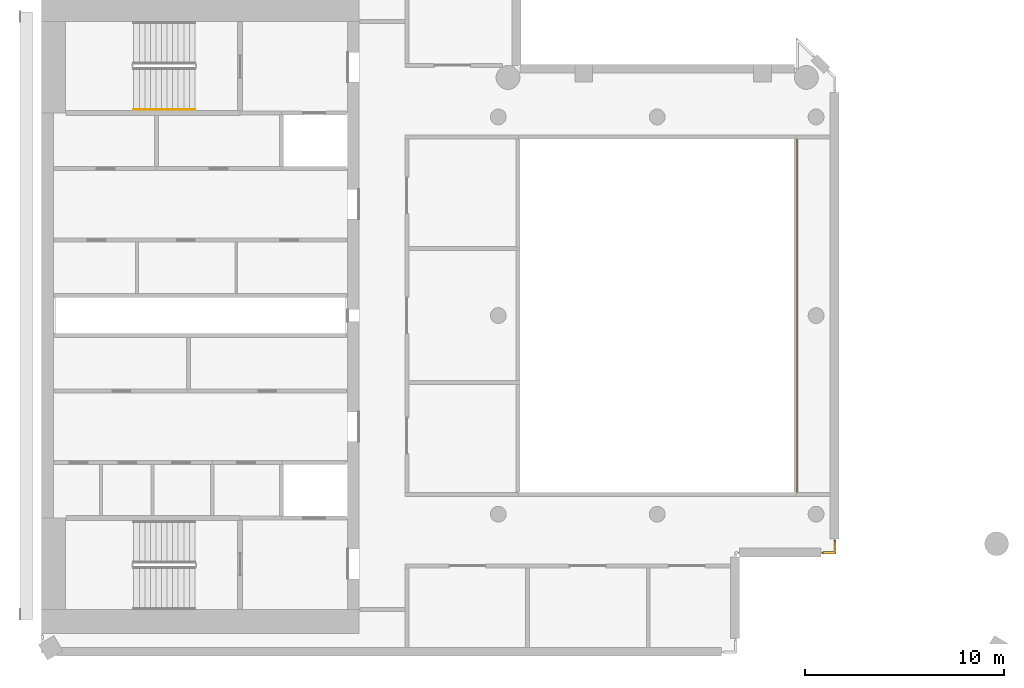
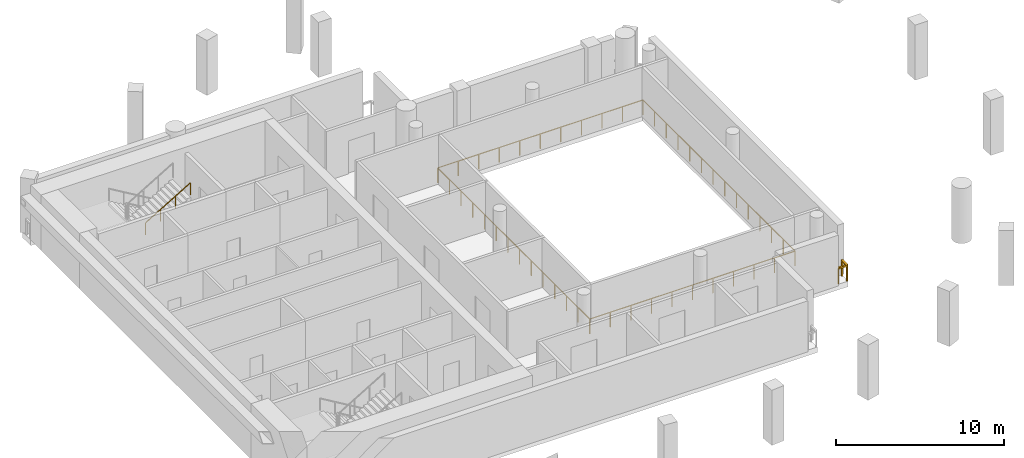
# One storey, part 7 of 9: 3 railings.
"""IFC4 building model written with IfcOpenShell, lengths in metres."""

from ifc_helpers import new_model, si_unit, direction, frame, origin, origin_2d, place, context, subcontext, project, spatial, rectangle, extrude, material, type_object, element, save


model = new_model("IFC4")

# Units and contexts
model_context = context("Model", 3, precision=1e-05, world=origin(), true_north=direction((0.0, 1.0)))
body_context = subcontext(model_context, "Body", "Model", "MODEL_VIEW")
ifc_project = project(units=[si_unit("LENGTHUNIT", "METRE"), si_unit("AREAUNIT", "SQUARE_METRE"), si_unit("VOLUMEUNIT", "CUBIC_METRE"), si_unit("PLANEANGLEUNIT", "RADIAN"), si_unit("MASSUNIT", "GRAM", prefix="KILO")], contexts=[model_context])

# Site, building, storey
site_placement = place(None, origin())
site = spatial("IfcSite", under=ifc_project, at=site_placement, CompositionType="ELEMENT")
building_placement = place(site_placement, origin())
building = spatial("IfcBuilding", under=site, at=building_placement, Name="Cypress Arch Tower", CompositionType="ELEMENT")
storey_placement = place(building_placement, frame((0.0, 0.0, 335.0)))
storey = spatial("IfcBuildingStorey", under=building, at=storey_placement, Name="L76", CompositionType="ELEMENT", Elevation=335.0)

# Railings
ifc_material_1 = material(Name="Stainless steel posts and handrail, laminated glass infill", Category="steel")
railing_type_1 = type_object("IfcRailingType", Name="Atrium guard GR1100A", PredefinedType="GUARDRAIL", material=ifc_material_1)
railing_1_placement = place(storey_placement, frame((8.050048828125, -9.050048828125, 0.0)))
element("IfcRailing", 1, at=railing_1_placement, inside=storey, type_object=railing_type_1, Name="Atrium guard L76", PredefinedType="GUARDRAIL", context=body_context, shape_type="SweptSolid", body=[
    extrude(rectangle(XDim=0.050048828125, YDim=0.050048828125, at=origin_2d()), frame((0.0, 0.0, 1.0751953125), z_axis=(-1.0, 0.0, 0.0), x_axis=(0.0, -1.0, 0.0)), (0.0, 0.0, 1.0), 14.10009765625),
    extrude(rectangle(XDim=0.050048828125, YDim=0.050048828125, at=origin_2d()), frame((-14.10009765625, 0.0, 1.0751953125), z_axis=(0.0, 1.0, 0.0), x_axis=(-1.0, 0.0, 0.0)), (0.0, 0.0, 1.0), 18.10009765625),
    extrude(rectangle(XDim=0.050048828125, YDim=0.050048828125, at=origin_2d()), frame((-14.10009765625, 18.10009765625, 1.0751953125), z_axis=(1.0, 0.0, 0.0), x_axis=(0.0, 1.0, 0.0)), (0.0, 0.0, 1.0), 14.10009765625),
    extrude(rectangle(XDim=0.050048828125, YDim=0.050048828125, at=origin_2d()), frame((0.0, 18.10009765625, 1.0751953125), z_axis=(0.0, -1.0, 0.0), x_axis=(1.0, 0.0, 0.0)), (0.0, 0.0, 1.0), 18.10009765625),
    extrude(rectangle(XDim=0.050048828125, YDim=0.050048828125, at=origin_2d()), origin(), (0.0, 0.0, 1.0), 1.050048828125),
    extrude(rectangle(XDim=0.050048828125, YDim=0.050048828125, at=origin_2d()), frame((-1.409912109375, 0.0, 0.0)), (0.0, 0.0, 1.0), 1.050048828125),
    extrude(rectangle(XDim=0.050048828125, YDim=0.050048828125, at=origin_2d()), frame((-2.820068359375, 0.0, 0.0)), (0.0, 0.0, 1.0), 1.050048828125),
    extrude(rectangle(XDim=0.050048828125, YDim=0.050048828125, at=origin_2d()), frame((-4.22998046875, 0.0, 0.0)), (0.0, 0.0, 1.0), 1.050048828125),
    extrude(rectangle(XDim=0.050048828125, YDim=0.050048828125, at=origin_2d()), frame((-5.64013671875, 0.0, 0.0)), (0.0, 0.0, 1.0), 1.050048828125),
    extrude(rectangle(XDim=0.050048828125, YDim=0.050048828125, at=origin_2d()), frame((-7.050048828125, 0.0, 0.0)), (0.0, 0.0, 1.0), 1.050048828125),
    extrude(rectangle(XDim=0.050048828125, YDim=0.050048828125, at=origin_2d()), frame((-8.4599609375, 0.0, 0.0)), (0.0, 0.0, 1.0), 1.050048828125),
    extrude(rectangle(XDim=0.050048828125, YDim=0.050048828125, at=origin_2d()), frame((-9.8701171875, 0.0, 0.0)), (0.0, 0.0, 1.0), 1.050048828125),
    extrude(rectangle(XDim=0.050048828125, YDim=0.050048828125, at=origin_2d()), frame((-11.280029296875, 0.0, 0.0)), (0.0, 0.0, 1.0), 1.050048828125),
    extrude(rectangle(XDim=0.050048828125, YDim=0.050048828125, at=origin_2d()), frame((-12.690185546875, 0.0, 0.0)), (0.0, 0.0, 1.0), 1.050048828125),
    extrude(rectangle(XDim=0.050048828125, YDim=0.050048828125, at=origin_2d()), frame((-14.10009765625, 0.0, 0.0)), (0.0, 0.0, 1.0), 1.050048828125),
    extrude(rectangle(XDim=0.050048828125, YDim=0.050048828125, at=origin_2d()), frame((-14.10009765625, 1.392333984375, 0.0)), (0.0, 0.0, 1.0), 1.050048828125),
    extrude(rectangle(XDim=0.050048828125, YDim=0.050048828125, at=origin_2d()), frame((-14.10009765625, 2.78466796875, 0.0)), (0.0, 0.0, 1.0), 1.050048828125),
    extrude(rectangle(XDim=0.050048828125, YDim=0.050048828125, at=origin_2d()), frame((-14.10009765625, 4.177001953125, 0.0)), (0.0, 0.0, 1.0), 1.050048828125),
    extrude(rectangle(XDim=0.050048828125, YDim=0.050048828125, at=origin_2d()), frame((-14.10009765625, 5.5693359375, 0.0)), (0.0, 0.0, 1.0), 1.050048828125),
    extrude(rectangle(XDim=0.050048828125, YDim=0.050048828125, at=origin_2d()), frame((-14.10009765625, 6.961669921875, 0.0)), (0.0, 0.0, 1.0), 1.050048828125),
    extrude(rectangle(XDim=0.050048828125, YDim=0.050048828125, at=origin_2d()), frame((-14.10009765625, 8.35400390625, 0.0)), (0.0, 0.0, 1.0), 1.050048828125),
    extrude(rectangle(XDim=0.050048828125, YDim=0.050048828125, at=origin_2d()), frame((-14.10009765625, 9.74609375, 0.0)), (0.0, 0.0, 1.0), 1.050048828125),
    extrude(rectangle(XDim=0.050048828125, YDim=0.050048828125, at=origin_2d()), frame((-14.10009765625, 11.138427734375, 0.0)), (0.0, 0.0, 1.0), 1.050048828125),
    extrude(rectangle(XDim=0.050048828125, YDim=0.050048828125, at=origin_2d()), frame((-14.10009765625, 12.53076171875, 0.0)), (0.0, 0.0, 1.0), 1.050048828125),
    extrude(rectangle(XDim=0.050048828125, YDim=0.050048828125, at=origin_2d()), frame((-14.10009765625, 13.923095703125, 0.0)), (0.0, 0.0, 1.0), 1.050048828125),
    extrude(rectangle(XDim=0.050048828125, YDim=0.050048828125, at=origin_2d()), frame((-14.10009765625, 15.3154296875, 0.0)), (0.0, 0.0, 1.0), 1.050048828125),
    extrude(rectangle(XDim=0.050048828125, YDim=0.050048828125, at=origin_2d()), frame((-14.10009765625, 16.707763671875, 0.0)), (0.0, 0.0, 1.0), 1.050048828125),
    extrude(rectangle(XDim=0.050048828125, YDim=0.050048828125, at=origin_2d()), frame((-14.10009765625, 18.10009765625, 0.0)), (0.0, 0.0, 1.0), 1.050048828125),
    extrude(rectangle(XDim=0.050048828125, YDim=0.050048828125, at=origin_2d()), frame((-12.690185546875, 18.10009765625, 0.0)), (0.0, 0.0, 1.0), 1.050048828125),
    extrude(rectangle(XDim=0.050048828125, YDim=0.050048828125, at=origin_2d()), frame((-11.280029296875, 18.10009765625, 0.0)), (0.0, 0.0, 1.0), 1.050048828125),
    extrude(rectangle(XDim=0.050048828125, YDim=0.050048828125, at=origin_2d()), frame((-9.8701171875, 18.10009765625, 0.0)), (0.0, 0.0, 1.0), 1.050048828125),
    extrude(rectangle(XDim=0.050048828125, YDim=0.050048828125, at=origin_2d()), frame((-8.4599609375, 18.10009765625, 0.0)), (0.0, 0.0, 1.0), 1.050048828125),
    extrude(rectangle(XDim=0.050048828125, YDim=0.050048828125, at=origin_2d()), frame((-7.050048828125, 18.10009765625, 0.0)), (0.0, 0.0, 1.0), 1.050048828125),
    extrude(rectangle(XDim=0.050048828125, YDim=0.050048828125, at=origin_2d()), frame((-5.64013671875, 18.10009765625, 0.0)), (0.0, 0.0, 1.0), 1.050048828125),
    extrude(rectangle(XDim=0.050048828125, YDim=0.050048828125, at=origin_2d()), frame((-4.22998046875, 18.10009765625, 0.0)), (0.0, 0.0, 1.0), 1.050048828125),
    extrude(rectangle(XDim=0.050048828125, YDim=0.050048828125, at=origin_2d()), frame((-2.820068359375, 18.10009765625, 0.0)), (0.0, 0.0, 1.0), 1.050048828125),
    extrude(rectangle(XDim=0.050048828125, YDim=0.050048828125, at=origin_2d()), frame((-1.409912109375, 18.10009765625, 0.0)), (0.0, 0.0, 1.0), 1.050048828125),
    extrude(rectangle(XDim=0.050048828125, YDim=0.050048828125, at=origin_2d()), frame((0.0, 18.10009765625, 0.0)), (0.0, 0.0, 1.0), 1.050048828125),
    extrude(rectangle(XDim=0.050048828125, YDim=0.050048828125, at=origin_2d()), frame((0.0, 16.707763671875, 0.0)), (0.0, 0.0, 1.0), 1.050048828125),
    extrude(rectangle(XDim=0.050048828125, YDim=0.050048828125, at=origin_2d()), frame((0.0, 15.3154296875, 0.0)), (0.0, 0.0, 1.0), 1.050048828125),
    extrude(rectangle(XDim=0.050048828125, YDim=0.050048828125, at=origin_2d()), frame((0.0, 13.923095703125, 0.0)), (0.0, 0.0, 1.0), 1.050048828125),
    extrude(rectangle(XDim=0.050048828125, YDim=0.050048828125, at=origin_2d()), frame((0.0, 12.53076171875, 0.0)), (0.0, 0.0, 1.0), 1.050048828125),
    extrude(rectangle(XDim=0.050048828125, YDim=0.050048828125, at=origin_2d()), frame((0.0, 11.138427734375, 0.0)), (0.0, 0.0, 1.0), 1.050048828125),
    extrude(rectangle(XDim=0.050048828125, YDim=0.050048828125, at=origin_2d()), frame((0.0, 9.74609375, 0.0)), (0.0, 0.0, 1.0), 1.050048828125),
    extrude(rectangle(XDim=0.050048828125, YDim=0.050048828125, at=origin_2d()), frame((0.0, 8.35400390625, 0.0)), (0.0, 0.0, 1.0), 1.050048828125),
    extrude(rectangle(XDim=0.050048828125, YDim=0.050048828125, at=origin_2d()), frame((0.0, 6.961669921875, 0.0)), (0.0, 0.0, 1.0), 1.050048828125),
    extrude(rectangle(XDim=0.050048828125, YDim=0.050048828125, at=origin_2d()), frame((0.0, 5.5693359375, 0.0)), (0.0, 0.0, 1.0), 1.050048828125),
    extrude(rectangle(XDim=0.050048828125, YDim=0.050048828125, at=origin_2d()), frame((0.0, 4.177001953125, 0.0)), (0.0, 0.0, 1.0), 1.050048828125),
    extrude(rectangle(XDim=0.050048828125, YDim=0.050048828125, at=origin_2d()), frame((0.0, 2.78466796875, 0.0)), (0.0, 0.0, 1.0), 1.050048828125),
    extrude(rectangle(XDim=0.050048828125, YDim=0.050048828125, at=origin_2d()), frame((0.0, 1.392333984375, 0.0)), (0.0, 0.0, 1.0), 1.050048828125),
])
ifc_material_2 = material(Name="Stainless steel posts and handrail, laminated glass infill", Category="steel")
railing_type_2 = type_object("IfcRailingType", Name="Deck guard GR1200D", PredefinedType="GUARDRAIL", material=ifc_material_2)
railing_2_placement = place(storey_placement, frame((9.949951171875, -11.35009765625, 0.0)))
element("IfcRailing", 2, at=railing_2_placement, inside=storey, type_object=railing_type_2, Name="Crown edge guard L76 7", PredefinedType="GUARDRAIL", context=body_context, shape_type="SweptSolid", body=[
    extrude(rectangle(XDim=0.1201171875, YDim=0.1201171875, at=origin_2d()), frame((0.0, 0.0, 1.139892578125), z_axis=(0.0, -1.0, 0.0), x_axis=(1.0, 0.0, 0.0)), (0.0, 0.0, 1.0), 0.599853515625),
    extrude(rectangle(XDim=0.1201171875, YDim=0.1201171875, at=origin_2d()), frame((0.0, -0.599853515625, 1.139892578125), z_axis=(-1.0, 0.0, 0.0), x_axis=(0.0, -1.0, 0.0)), (0.0, 0.0, 1.0), 0.599853515625),
    extrude(rectangle(XDim=0.080078125, YDim=0.080078125, at=origin_2d()), origin(), (0.0, 0.0, 1.0), 1.079833984375),
    extrude(rectangle(XDim=0.080078125, YDim=0.080078125, at=origin_2d()), frame((0.0, -0.599853515625, 0.0)), (0.0, 0.0, 1.0), 1.079833984375),
    extrude(rectangle(XDim=0.080078125, YDim=0.080078125, at=origin_2d()), frame((-0.599853515625, -0.599853515625, 0.0)), (0.0, 0.0, 1.0), 1.079833984375),
])
ifc_material_3 = material(Name="Black powder-coated steel square bar 48 mm", Category="steel")
railing_type_3 = type_object("IfcRailingType", Name="Stair handrail HR1", PredefinedType="HANDRAIL", material=ifc_material_3)
railing_3_placement = place(storey_placement, frame((-25.35498046875, 10.375, 2.166748046875)))
element("IfcRailing", 3, at=railing_3_placement, inside=storey, type_object=railing_type_3, Name="L76 B stair handrail 2", PredefinedType="HANDRAIL", context=body_context, shape_type="SweptSolid", body=[
    extrude(rectangle(XDim=0.048095703125, YDim=0.048095703125, at=origin_2d()), frame((0.0, 0.0, 0.8759765625), z_axis=(0.859308565015, 0.0, 0.511457515432), x_axis=(0.0, 1.0, 0.0)), (0.0, 0.0, 1.0), 3.58447265625),
    extrude(rectangle(XDim=0.0419921875, YDim=0.0419921875, at=origin_2d()), origin(), (0.0, 0.0, 1.0), 0.851806640625),
    extrude(rectangle(XDim=0.0419921875, YDim=0.0419921875, at=origin_2d()), frame((1.026611328125, 0.0, 0.611083984375)), (0.0, 0.0, 1.0), 0.851806640625),
    extrude(rectangle(XDim=0.0419921875, YDim=0.0419921875, at=origin_2d()), frame((2.053466796875, 0.0, 1.22216796875)), (0.0, 0.0, 1.0), 0.851806640625),
    extrude(rectangle(XDim=0.0419921875, YDim=0.0419921875, at=origin_2d()), frame((3.080078125, 0.0, 1.833251953125)), (0.0, 0.0, 1.0), 0.851806640625),
])

save(model, "model.ifc")
